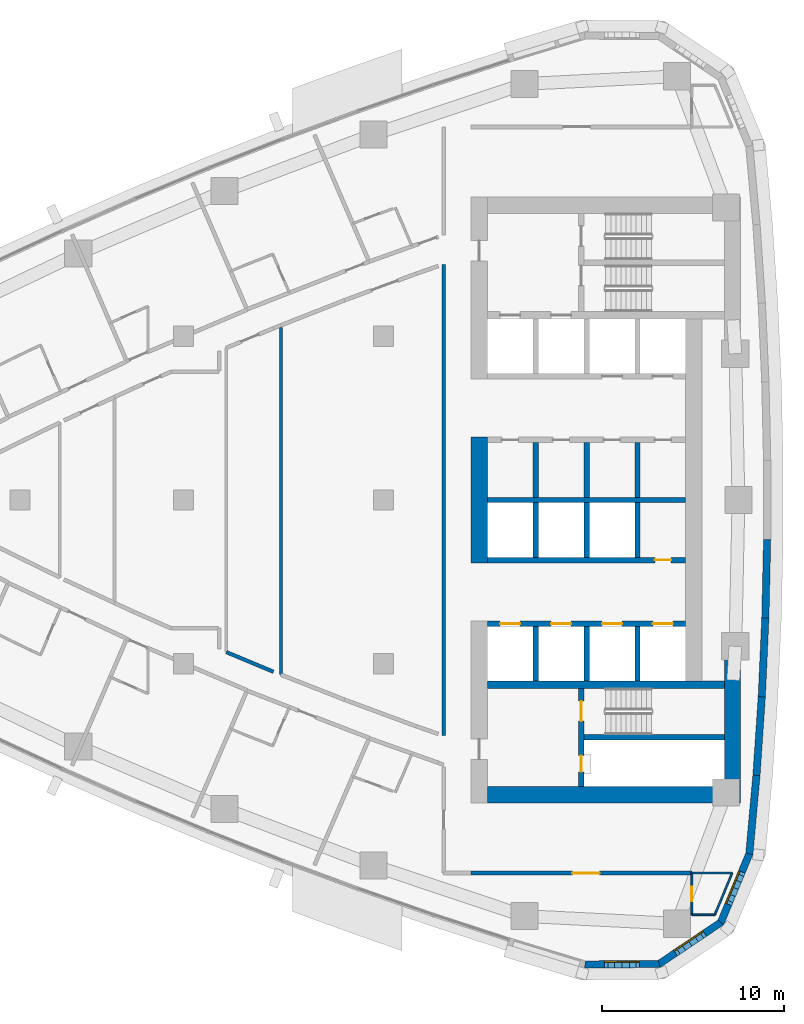
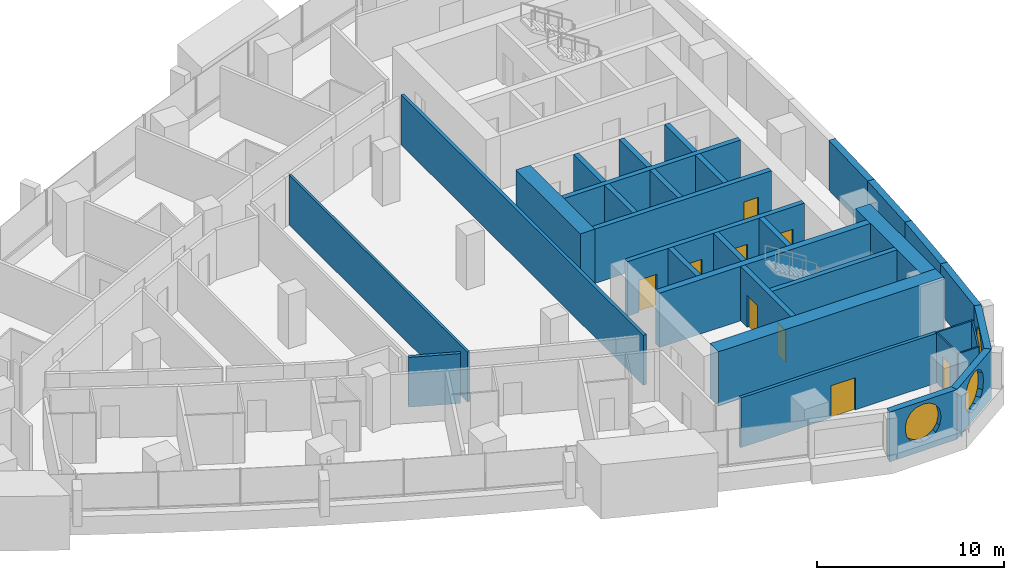
# One storey, part 10 of 17: 33 walls, 9 doors, 3 windows, 12 openings.
"""IFC4 building model written with IfcOpenShell, lengths in metres."""

from ifc_helpers import new_model, si_unit, direction, frame, frame_2d, origin, place, context, subcontext, project, spatial, polyline, rectangle, outline, extrude, material, layer, layer_set, type_object, element, fill, save


model = new_model("IFC4")

# Units and contexts
model_context = context("Model", 3, precision=1e-05, world=origin(), true_north=direction((0.0, 1.0)))
body_context = subcontext(model_context, "Body", "Model", "MODEL_VIEW")
ifc_project = project(units=[si_unit("LENGTHUNIT", "METRE"), si_unit("AREAUNIT", "SQUARE_METRE"), si_unit("VOLUMEUNIT", "CUBIC_METRE"), si_unit("PLANEANGLEUNIT", "RADIAN"), si_unit("MASSUNIT", "GRAM", prefix="KILO")], contexts=[model_context])

# Site, building, storey
site_placement = place(None, origin())
site = spatial("IfcSite", under=ifc_project, at=site_placement, CompositionType="ELEMENT")
building_placement = place(site_placement, origin())
building = spatial("IfcBuilding", under=site, at=building_placement, Name="Ostrand Prow Hotel Tower", CompositionType="ELEMENT")
storey_placement = place(building_placement, frame((0.0, 0.0, 144.39990234375)))
storey = spatial("IfcBuildingStorey", under=building, at=storey_placement, Name="L35", CompositionType="ELEMENT", Elevation=144.39990234375)

# Walls
ifc_material_1 = material(Name="Concrete C70/85", Category="concrete")
ifc_layer_1 = layer(ifc_material_1, 0.300048828125)
ifc_layer_set_1 = layer_set([ifc_layer_1], Name="Concrete C70/85")
wall_type_1 = type_object("IfcWallType", Name="Core wall 300 C70/85", PredefinedType="SHEAR", material=ifc_layer_set_1)
wall_1_placement = place(storey_placement, frame((50.699951171875, 0.0, 0.0), z_axis=(0.0, 0.0, 1.0), x_axis=(1.0, 0.0, 0.0)))
element("IfcWall", 1, at=wall_1_placement, inside=storey, type_object=wall_type_1, Name="Core wall PW-C", PredefinedType="SHEAR", context=body_context, shape_type="SweptSolid", body=[
    extrude(rectangle(XDim=10.900146484375, YDim=0.300048828125, at=frame_2d((5.4501953125, 0.0))), origin(), (0.0, 0.0, 1.0), 3.550048828125),
])
for number, where, z_axis, x_axis, name in (
    (2, (53.35009765625, 0.14990234375, 0.0), (0.0, 0.0, 1.0), (0.0, 1.0, 0.0), "Core wall PW-R1-NB"),
    (3, (56.14990234375, 0.14990234375, 0.0), (0.0, 0.0, 1.0), (0.0, 1.0, 0.0), "Core wall PW-R2-NB"),
    (4, (58.949951171875, 0.14990234375, 0.0), (0.0, 0.0, 1.0), (0.0, 1.0, 0.0), "Core wall PW-R3-NB"),
):
    element("IfcWall", number, at=place(storey_placement, frame(where, z_axis=z_axis, x_axis=x_axis)), inside=storey, type_object=wall_type_1, Name=name, PredefinedType="SHEAR", context=body_context, shape_type="SweptSolid", body=[
        extrude(rectangle(XDim=3.0, YDim=0.300048828125, at=frame_2d((1.5, 0.0))), origin(), (0.0, 0.0, 1.0), 3.550048828125),
    ])

# Wall, opening, door
wall_2_placement = place(storey_placement, frame((50.699951171875, -3.300048828125, 0.0), z_axis=(0.0, 0.0, 1.0), x_axis=(1.0, 0.0, 0.0)))
wall_2 = element("IfcWall", 5, at=wall_2_placement, inside=storey, type_object=wall_type_1, Name="Core wall PW-L1-S", PredefinedType="SHEAR", context=body_context, shape_type="SweptSolid", body=[
    extrude(rectangle(XDim=10.900146484375, YDim=0.300048828125, at=frame_2d((5.4501953125, 0.0))), origin(), (0.0, 0.0, 1.0), 3.550048828125),
])
opening_1_placement = place(wall_2_placement, frame((9.199951171875, 0.0, 0.0)))
opening_1 = element("IfcOpeningElement", 6, at=opening_1_placement, cuts=wall_2, Name="Opening FD2", PredefinedType="OPENING", context=body_context, shape_type="SweptSolid", body=[
    extrude(rectangle(XDim=0.89990234375, YDim=2.10009765625, at=frame_2d((0.449951171875, 1.050048828125))), frame((0.0, 0.159912109375, 0.0), z_axis=(0.0, -1.0, 0.0), x_axis=(1.0, 0.0, 0.0)), (0.0, 0.0, 1.0), 0.320068359375),
])
ifc_material_2 = material(Name="Steel fire door", Category="steel")
door_type_1 = type_object("IfcDoorType", Name="Fire door 900 EI120", OperationType="SINGLE_SWING_LEFT", PredefinedType="DOOR", material=ifc_material_2)
door_1_placement = place(opening_1_placement, origin())
door_1 = element("IfcDoor", 7, at=door_1_placement, inside=storey, type_object=door_type_1, Name="DOOR", OperationType="SINGLE_SWING_LEFT", OverallHeight=2.10009765625, OverallWidth=0.89990234375, PredefinedType="DOOR", context=body_context, shape_type="SweptSolid", body=[
    extrude(rectangle(XDim=0.89990234375, YDim=2.10009765625, at=frame_2d((0.449951171875, 1.050048828125))), frame((0.0, 0.02490234375, 0.0), z_axis=(0.0, -1.0, 0.0), x_axis=(1.0, 0.0, 0.0)), (0.0, 0.0, 1.0), 0.050048828125),
])
fill(opening_1, door_1)

# Wall, openings, doors
wall_3_placement = place(storey_placement, frame((50.699951171875, -6.800048828125, 0.0), z_axis=(0.0, 0.0, 1.0), x_axis=(1.0, 0.0, 0.0)))
wall_3 = element("IfcWall", 8, at=wall_3_placement, inside=storey, type_object=wall_type_1, Name="Core wall PW-L2-S", PredefinedType="SHEAR", context=body_context, shape_type="SweptSolid", body=[
    extrude(rectangle(XDim=10.900146484375, YDim=0.300048828125, at=frame_2d((5.4501953125, 0.0))), origin(), (0.0, 0.0, 1.0), 3.550048828125),
])
opening_2_placement = place(wall_3_placement, frame((0.699951171875, 0.0, 0.0)))
opening_2 = element("IfcOpeningElement", 9, at=opening_2_placement, cuts=wall_3, Name="Opening LD", PredefinedType="OPENING", context=body_context, shape_type="SweptSolid", body=[
    extrude(rectangle(XDim=1.10009765625, YDim=2.10009765625, at=frame_2d((0.550048828125, 1.050048828125))), frame((0.0, 0.159912109375, 0.0), z_axis=(0.0, -1.0, 0.0), x_axis=(1.0, 0.0, 0.0)), (0.0, 0.0, 1.0), 0.320068359375),
])
opening_3_placement = place(wall_3_placement, frame((3.5, 0.0, 0.0)))
opening_3 = element("IfcOpeningElement", 10, at=opening_3_placement, cuts=wall_3, Name="Opening LD", PredefinedType="OPENING", context=body_context, shape_type="SweptSolid", body=[
    extrude(rectangle(XDim=1.10009765625, YDim=2.10009765625, at=frame_2d((0.550048828125, 1.050048828125))), frame((0.0, 0.159912109375, 0.0), z_axis=(0.0, -1.0, 0.0), x_axis=(1.0, 0.0, 0.0)), (0.0, 0.0, 1.0), 0.320068359375),
])
opening_4_placement = place(wall_3_placement, frame((6.300048828125, 0.0, 0.0)))
opening_4 = element("IfcOpeningElement", 11, at=opening_4_placement, cuts=wall_3, Name="Opening LD", PredefinedType="OPENING", context=body_context, shape_type="SweptSolid", body=[
    extrude(rectangle(XDim=1.10009765625, YDim=2.10009765625, at=frame_2d((0.550048828125, 1.050048828125))), frame((0.0, 0.159912109375, 0.0), z_axis=(0.0, -1.0, 0.0), x_axis=(1.0, 0.0, 0.0)), (0.0, 0.0, 1.0), 0.320068359375),
])
opening_5_placement = place(wall_3_placement, frame((9.10009765625, 0.0, 0.0)))
opening_5 = element("IfcOpeningElement", 12, at=opening_5_placement, cuts=wall_3, Name="Opening LD", PredefinedType="OPENING", context=body_context, shape_type="SweptSolid", body=[
    extrude(rectangle(XDim=1.10009765625, YDim=2.10009765625, at=frame_2d((0.550048828125, 1.050048828125))), frame((0.0, 0.159912109375, 0.0), z_axis=(0.0, -1.0, 0.0), x_axis=(1.0, 0.0, 0.0)), (0.0, 0.0, 1.0), 0.320068359375),
])
ifc_material_3 = material(Name="Stainless steel door", Category="steel")
door_type_2 = type_object("IfcDoorType", Name="Lift landing door 1100", OperationType="DOUBLE_DOOR_SLIDING", PredefinedType="DOOR", material=ifc_material_3)
door_2_placement = place(opening_2_placement, origin())
door_2 = element("IfcDoor", 13, at=door_2_placement, inside=storey, type_object=door_type_2, Name="LIFT LANDING DOOR", OperationType="DOUBLE_DOOR_SLIDING", OverallHeight=2.10009765625, OverallWidth=1.10009765625, PredefinedType="DOOR", context=body_context, shape_type="SweptSolid", body=[
    extrude(rectangle(XDim=1.10009765625, YDim=2.10009765625, at=frame_2d((0.550048828125, 1.050048828125))), frame((0.0, 0.02490234375, 0.0), z_axis=(0.0, -1.0, 0.0), x_axis=(1.0, 0.0, 0.0)), (0.0, 0.0, 1.0), 0.050048828125),
])
fill(opening_2, door_2)
door_3_placement = place(opening_3_placement, origin())
door_3 = element("IfcDoor", 14, at=door_3_placement, inside=storey, type_object=door_type_2, Name="LIFT LANDING DOOR", OperationType="DOUBLE_DOOR_SLIDING", OverallHeight=2.10009765625, OverallWidth=1.10009765625, PredefinedType="DOOR", context=body_context, shape_type="SweptSolid", body=[
    extrude(rectangle(XDim=1.10009765625, YDim=2.10009765625, at=frame_2d((0.550048828125, 1.050048828125))), frame((0.0, 0.02490234375, 0.0), z_axis=(0.0, -1.0, 0.0), x_axis=(1.0, 0.0, 0.0)), (0.0, 0.0, 1.0), 0.050048828125),
])
fill(opening_3, door_3)
door_4_placement = place(opening_4_placement, origin())
door_4 = element("IfcDoor", 15, at=door_4_placement, inside=storey, type_object=door_type_2, Name="LIFT LANDING DOOR", OperationType="DOUBLE_DOOR_SLIDING", OverallHeight=2.10009765625, OverallWidth=1.10009765625, PredefinedType="DOOR", context=body_context, shape_type="SweptSolid", body=[
    extrude(rectangle(XDim=1.10009765625, YDim=2.10009765625, at=frame_2d((0.550048828125, 1.050048828125))), frame((0.0, 0.02490234375, 0.0), z_axis=(0.0, -1.0, 0.0), x_axis=(1.0, 0.0, 0.0)), (0.0, 0.0, 1.0), 0.050048828125),
])
fill(opening_4, door_4)
door_5_placement = place(opening_5_placement, origin())
door_5 = element("IfcDoor", 16, at=door_5_placement, inside=storey, type_object=door_type_2, Name="LIFT LANDING DOOR", OperationType="DOUBLE_DOOR_SLIDING", OverallHeight=2.10009765625, OverallWidth=1.10009765625, PredefinedType="DOOR", context=body_context, shape_type="SweptSolid", body=[
    extrude(rectangle(XDim=1.10009765625, YDim=2.10009765625, at=frame_2d((0.550048828125, 1.050048828125))), frame((0.0, 0.02490234375, 0.0), z_axis=(0.0, -1.0, 0.0), x_axis=(1.0, 0.0, 0.0)), (0.0, 0.0, 1.0), 0.050048828125),
])
fill(opening_5, door_5)

# Walls
for number, where, z_axis, x_axis, name in (
    (17, (53.35009765625, -3.14990234375, 0.0), (0.0, 0.0, 1.0), (0.0, 1.0, 0.0), "Core wall PW-R1-SB"),
    (18, (53.35009765625, -9.949951171875, 0.0), (0.0, 0.0, 1.0), (0.0, 1.0, 0.0), "Core wall PW-R1-SA"),
    (19, (56.14990234375, -3.14990234375, 0.0), (0.0, 0.0, 1.0), (0.0, 1.0, 0.0), "Core wall PW-R2-SB"),
    (20, (56.14990234375, -9.949951171875, 0.0), (0.0, 0.0, 1.0), (0.0, 1.0, 0.0), "Core wall PW-R2-SA"),
    (21, (58.949951171875, -3.14990234375, 0.0), (0.0, 0.0, 1.0), (0.0, 1.0, 0.0), "Core wall PW-R3-SB"),
    (22, (58.949951171875, -9.949951171875, 0.0), (0.0, 0.0, 1.0), (0.0, 1.0, 0.0), "Core wall PW-R3-SA"),
):
    element("IfcWall", number, at=place(storey_placement, frame(where, z_axis=z_axis, x_axis=x_axis)), inside=storey, type_object=wall_type_1, Name=name, PredefinedType="SHEAR", context=body_context, shape_type="SweptSolid", body=[
        extrude(rectangle(XDim=3.0, YDim=0.300048828125, at=frame_2d((1.5, 0.0))), origin(), (0.0, 0.0, 1.0), 3.550048828125),
    ])

# Wall, openings, doors
wall_4_placement = place(storey_placement, frame((55.85009765625, -15.75, 0.0), z_axis=(0.0, 0.0, 1.0), x_axis=(0.0, 1.0, 0.0)))
wall_4 = element("IfcWall", 23, at=wall_4_placement, inside=storey, type_object=wall_type_1, Name="Core wall PW-VS", PredefinedType="SHEAR", context=body_context, shape_type="SweptSolid", body=[
    extrude(rectangle(XDim=5.39990234375, YDim=0.300048828125, at=frame_2d((2.699951171875, 0.0))), origin(), (0.0, 0.0, 1.0), 3.550048828125),
])
opening_6_placement = place(wall_4_placement, frame((3.60009765625, 0.0, 0.0)))
opening_6 = element("IfcOpeningElement", 24, at=opening_6_placement, cuts=wall_4, Name="Opening FD1", PredefinedType="OPENING", context=body_context, shape_type="SweptSolid", body=[
    extrude(rectangle(XDim=1.10009765625, YDim=2.10009765625, at=frame_2d((0.550048828125, 1.050048828125))), frame((0.0, 0.159912109375, 0.0), z_axis=(0.0, -1.0, 0.0), x_axis=(1.0, 0.0, 0.0)), (0.0, 0.0, 1.0), 0.320068359375),
])
opening_7_placement = place(wall_4_placement, frame((0.800048828125, 0.0, 0.0)))
opening_7 = element("IfcOpeningElement", 25, at=opening_7_placement, cuts=wall_4, Name="Opening FD2", PredefinedType="OPENING", context=body_context, shape_type="SweptSolid", body=[
    extrude(rectangle(XDim=0.89990234375, YDim=2.10009765625, at=frame_2d((0.449951171875, 1.050048828125))), frame((0.0, 0.159912109375, 0.0), z_axis=(0.0, -1.0, 0.0), x_axis=(1.0, 0.0, 0.0)), (0.0, 0.0, 1.0), 0.320068359375),
])
ifc_material_4 = material(Name="Steel fire door", Category="steel")
door_type_3 = type_object("IfcDoorType", Name="Fire door 1100 EI120", OperationType="SINGLE_SWING_RIGHT", PredefinedType="DOOR", material=ifc_material_4)
door_6_placement = place(opening_6_placement, origin())
door_6 = element("IfcDoor", 26, at=door_6_placement, inside=storey, type_object=door_type_3, Name="FIRE DOOR", OperationType="SINGLE_SWING_RIGHT", OverallHeight=2.10009765625, OverallWidth=1.10009765625, PredefinedType="DOOR", context=body_context, shape_type="SweptSolid", body=[
    extrude(rectangle(XDim=1.10009765625, YDim=2.10009765625, at=frame_2d((0.550048828125, 1.050048828125))), frame((0.0, 0.02490234375, 0.0), z_axis=(0.0, -1.0, 0.0), x_axis=(1.0, 0.0, 0.0)), (0.0, 0.0, 1.0), 0.050048828125),
])
fill(opening_6, door_6)
door_7_placement = place(opening_7_placement, origin())
door_7 = element("IfcDoor", 27, at=door_7_placement, inside=storey, type_object=door_type_1, Name="FIRE DOOR", OperationType="SINGLE_SWING_LEFT", OverallHeight=2.10009765625, OverallWidth=0.89990234375, PredefinedType="DOOR", context=body_context, shape_type="SweptSolid", body=[
    extrude(rectangle(XDim=0.89990234375, YDim=2.10009765625, at=frame_2d((0.449951171875, 1.050048828125))), frame((0.0, 0.02490234375, 0.0), z_axis=(0.0, -1.0, 0.0), x_axis=(1.0, 0.0, 0.0)), (0.0, 0.0, 1.0), 0.050048828125),
])
fill(opening_7, door_7)

# Walls
wall_5_placement = place(storey_placement, frame((56.0, -13.050048828125, 0.0), z_axis=(0.0, 0.0, 1.0), x_axis=(1.0, 0.0, 0.0)))
element("IfcWall", 28, at=wall_5_placement, inside=storey, type_object=wall_type_1, Name="Core wall PW-ST2R", PredefinedType="SHEAR", context=body_context, shape_type="SweptSolid", body=[
    extrude(rectangle(XDim=7.719970703125, YDim=0.300048828125, at=frame_2d((3.85986328125, 0.0))), origin(), (0.0, 0.0, 1.0), 3.550048828125),
])
ifc_material_5 = material(Name="Concrete C70/85", Category="concrete")
ifc_layer_2 = layer(ifc_material_5, 0.39990234375)
ifc_layer_set_2 = layer_set([ifc_layer_2], Name="Concrete C70/85")
wall_type_2 = type_object("IfcWallType", Name="Core wall 400 C70/85", PredefinedType="SHEAR", material=ifc_layer_set_2)
wall_6_placement = place(storey_placement, frame((50.699951171875, -10.14990234375, 0.0), z_axis=(0.0, 0.0, 1.0), x_axis=(1.0, 0.0, 0.0)))
element("IfcWall", 29, at=wall_6_placement, inside=storey, type_object=wall_type_2, Name="Core wall PW-BS", PredefinedType="SHEAR", context=body_context, shape_type="SweptSolid", body=[
    extrude(rectangle(XDim=13.02001953125, YDim=0.39990234375, at=frame_2d((6.510009765625, 0.0))), origin(), (0.0, 0.0, 1.0), 3.550048828125),
])
ifc_material_6 = material(Name="Concrete C70/85", Category="concrete")
ifc_layer_3 = layer(ifc_material_6, 0.89990234375)
ifc_layer_set_3 = layer_set([ifc_layer_3], Name="Concrete C70/85")
wall_type_3 = type_object("IfcWallType", Name="Core wall 900 C70/85", PredefinedType="SHEAR", material=ifc_layer_set_3)
wall_7_placement = place(storey_placement, frame((50.25, -3.449951171875, 0.0), z_axis=(0.0, 0.0, 1.0), x_axis=(0.0, 1.0, 0.0)))
element("IfcWall", 30, at=wall_7_placement, inside=storey, type_object=wall_type_3, Name="Core wall CW-W-C", PredefinedType="SHEAR", context=body_context, shape_type="SweptSolid", body=[
    extrude(rectangle(XDim=6.89990234375, YDim=0.89990234375, at=frame_2d((3.449951171875, 0.0))), origin(), (0.0, 0.0, 1.0), 3.550048828125),
])
wall_8_placement = place(storey_placement, frame((50.699951171875, -16.199951171875, 0.0), z_axis=(0.0, 0.0, 1.0), x_axis=(1.0, 0.0, 0.0)))
element("IfcWall", 31, at=wall_8_placement, inside=storey, type_object=wall_type_3, Name="Core wall CW-S", PredefinedType="SHEAR", context=body_context, shape_type="SweptSolid", body=[
    extrude(rectangle(XDim=13.920166015625, YDim=0.89990234375, at=frame_2d((6.9599609375, 0.0))), origin(), (0.0, 0.0, 1.0), 3.550048828125),
])
wall_9_placement = place(storey_placement, frame((64.169921875, -15.75, 0.0), z_axis=(0.0, 0.0, 1.0), x_axis=(0.0, 1.0, 0.0)))
element("IfcWall", 32, at=wall_9_placement, inside=storey, type_object=wall_type_3, Name="Core wall CW-E-S", PredefinedType="SHEAR", context=body_context, shape_type="SweptSolid", body=[
    extrude(rectangle(XDim=7.00537109375, YDim=0.89990234375, at=frame_2d((3.502685546875, 0.0))), origin(), (0.0, 0.0, 1.0), 3.550048828125),
])

# Wall, opening, door
ifc_material_7 = material(Name="Plasterboard partition")
ifc_layer_4 = layer(ifc_material_7, 0.10009765625)
ifc_layer_set_4 = layer_set([ifc_layer_4], Name="Plasterboard partition")
wall_type_4 = type_object("IfcWallType", Name="Partition 100 bathroom wall", PredefinedType="PARTITIONING", material=ifc_layer_set_4)
wall_10_placement = place(storey_placement, frame((61.9375, -22.800048828125, 0.0), z_axis=(0.0, 0.0, 1.0), x_axis=(0.0, 1.0, 0.0)))
wall_10 = element("IfcWall", 33, at=wall_10_placement, inside=storey, type_object=wall_type_4, Name="BATHROOM WALL", PredefinedType="PARTITIONING", context=body_context, shape_type="SweptSolid", body=[
    extrude(rectangle(XDim=2.300048828125, YDim=0.10009765625, at=frame_2d((1.14990234375, 0.0))), origin(), (0.0, 0.0, 1.0), 3.25),
])
opening_8_placement = place(wall_10_placement, frame((0.75, 0.0, 0.0)))
opening_8 = element("IfcOpeningElement", 34, at=opening_8_placement, cuts=wall_10, Name="Opening D2", PredefinedType="OPENING", context=body_context, shape_type="SweptSolid", body=[
    extrude(rectangle(XDim=0.800048828125, YDim=2.10009765625, at=frame_2d((0.39990234375, 1.050048828125))), frame((0.0, 0.06005859375, 0.0), z_axis=(0.0, -1.0, 0.0), x_axis=(1.0, 0.0, 0.0)), (0.0, 0.0, 1.0), 0.1201171875),
])
ifc_material_8 = material(Name="Timber door leaf", Category="wood")
door_type_4 = type_object("IfcDoorType", Name="Bathroom door 800", OperationType="SINGLE_SWING_LEFT", PredefinedType="DOOR", material=ifc_material_8)
door_8_placement = place(opening_8_placement, origin())
door_8 = element("IfcDoor", 35, at=door_8_placement, inside=storey, type_object=door_type_4, Name="DOOR", OperationType="SINGLE_SWING_LEFT", OverallHeight=2.10009765625, OverallWidth=0.800048828125, PredefinedType="DOOR", context=body_context, shape_type="SweptSolid", body=[
    extrude(rectangle(XDim=0.800048828125, YDim=2.10009765625, at=frame_2d((0.39990234375, 1.050048828125))), frame((0.0, 0.02490234375, 0.0), z_axis=(0.0, -1.0, 0.0), x_axis=(1.0, 0.0, 0.0)), (0.0, 0.0, 1.0), 0.050048828125),
])
fill(opening_8, door_8)

# Walls
wall_11_placement = place(storey_placement, frame((63.1982421875, -22.800048828125, 0.0), z_axis=(0.0, 0.0, 1.0), x_axis=(-1.0, 0.0, 0.0)))
element("IfcWall", 36, at=wall_11_placement, inside=storey, type_object=wall_type_4, Name="BATHROOM WALL", PredefinedType="PARTITIONING", context=body_context, shape_type="SweptSolid", body=[
    extrude(rectangle(XDim=1.2607421875, YDim=0.10009765625, at=frame_2d((0.63037109375, 0.0))), origin(), (0.0, 0.0, 1.0), 3.25),
])
wall_12_placement = place(storey_placement, frame((61.9375, -20.5048828125, 0.0), z_axis=(0.0, 0.0, 1.0), x_axis=(1.0, 0.0, 0.0)))
element("IfcWall", 37, at=wall_12_placement, inside=storey, type_object=wall_type_4, Name="BATHROOM WALL", PredefinedType="PARTITIONING", context=body_context, shape_type="SweptSolid", body=[
    extrude(rectangle(XDim=2.21484375, YDim=0.10009765625, at=frame_2d((1.107421875, 0.0))), origin(), (0.0, 0.0, 1.0), 3.25),
])
wall_13_placement = place(storey_placement, frame((64.15234375, -20.5048828125, 0.0), z_axis=(0.0, 0.0, 1.0), x_axis=(-0.383855043906, -0.923393364319, 0.0)))
element("IfcWall", 38, at=wall_13_placement, inside=storey, type_object=wall_type_4, Name="BATHROOM WALL", PredefinedType="PARTITIONING", context=body_context, shape_type="SweptSolid", body=[
    extrude(rectangle(XDim=2.485595703125, YDim=0.10009765625, at=frame_2d((1.24267578125, 0.0))), origin(), (0.0, 0.0, 1.0), 3.25),
])
ifc_material_9 = material(Name="Plasterboard partition")
ifc_layer_5 = layer(ifc_material_9, 0.14990234375)
ifc_layer_set_5 = layer_set([ifc_layer_5], Name="Plasterboard partition")
wall_type_5 = type_object("IfcWallType", Name="Partition 150 room partition", PredefinedType="PARTITIONING", material=ifc_layer_set_5)
wall_14_placement = place(storey_placement, frame((39.35302734375, -9.60205078125, 0.0), z_axis=(0.0, 0.0, 1.0), x_axis=(0.0, 1.0, 0.0)))
element("IfcWall", 39, at=wall_14_placement, inside=storey, type_object=wall_type_5, Name="ROOM PARTITION", PredefinedType="PARTITIONING", context=body_context, shape_type="SweptSolid", body=[
    extrude(rectangle(XDim=19.0966796875, YDim=0.14990234375, at=frame_2d((9.54833984375, 0.0))), origin(), (0.0, 0.0, 1.0), 3.25),
])
ifc_material_10 = material(Name="Plasterboard partition")
ifc_layer_6 = layer(ifc_material_10, 0.199951171875)
ifc_layer_set_6 = layer_set([ifc_layer_6], Name="Plasterboard partition")
wall_type_6 = type_object("IfcWallType", Name="Partition 200 corridor wall", PredefinedType="PARTITIONING", material=ifc_layer_set_6)
wall_15_placement = place(storey_placement, frame((38.943115234375, -9.44091796875, 0.0), z_axis=(0.0, 0.0, 1.0), x_axis=(-0.922997109092, 0.384806882224, 0.0)))
element("IfcWall", 40, at=wall_15_placement, inside=storey, type_object=wall_type_6, Name="CORRIDOR WALL", PredefinedType="PARTITIONING", context=body_context, shape_type="SweptSolid", body=[
    extrude(rectangle(XDim=2.80615234375, YDim=0.199951171875, at=frame_2d((1.403076171875, 0.0))), origin(), (0.0, 0.0, 1.0), 3.25),
])

# Wall, opening, door
wall_16_placement = place(storey_placement, frame((49.800048828125, -20.5048828125, 0.0), z_axis=(0.0, 0.0, 1.0), x_axis=(1.0, 0.0, 0.0)))
wall_16 = element("IfcWall", 41, at=wall_16_placement, inside=storey, type_object=wall_type_6, Name="CORRIDOR WALL", PredefinedType="PARTITIONING", context=body_context, shape_type="SweptSolid", body=[
    extrude(rectangle(XDim=12.132568359375, YDim=0.199951171875, at=frame_2d((6.06640625, 0.0))), origin(), (0.0, 0.0, 1.0), 3.25),
])
opening_9_placement = place(wall_16_placement, frame((5.56640625, 0.0, 0.0)))
opening_9 = element("IfcOpeningElement", 42, at=opening_9_placement, cuts=wall_16, Name="Opening D15", PredefinedType="OPENING", context=body_context, shape_type="SweptSolid", body=[
    extrude(rectangle(XDim=1.5, YDim=2.10009765625, at=frame_2d((0.75, 1.050048828125))), frame((0.0, 0.10986328125, 0.0), z_axis=(0.0, -1.0, 0.0), x_axis=(1.0, 0.0, 0.0)), (0.0, 0.0, 1.0), 0.219970703125),
])
ifc_material_11 = material(Name="Timber door leaf", Category="wood")
door_type_5 = type_object("IfcDoorType", Name="Double door 1500", OperationType="DOUBLE_DOOR_SINGLE_SWING", PredefinedType="DOOR", material=ifc_material_11)
door_9_placement = place(opening_9_placement, origin())
door_9 = element("IfcDoor", 43, at=door_9_placement, inside=storey, type_object=door_type_5, Name="DOOR", OperationType="DOUBLE_DOOR_SINGLE_SWING", OverallHeight=2.10009765625, OverallWidth=1.5, PredefinedType="DOOR", context=body_context, shape_type="SweptSolid", body=[
    extrude(rectangle(XDim=1.5, YDim=2.10009765625, at=frame_2d((0.75, 1.050048828125))), frame((0.0, 0.02490234375, 0.0), z_axis=(0.0, -1.0, 0.0), x_axis=(1.0, 0.0, 0.0)), (0.0, 0.0, 1.0), 0.050048828125),
])
fill(opening_9, door_9)

# Wall
wall_17_placement = place(storey_placement, frame((48.294921875, 12.955078125, 0.0), z_axis=(0.0, 0.0, 1.0), x_axis=(0.0, -1.0, 0.0)))
element("IfcWall", 44, at=wall_17_placement, inside=storey, type_object=wall_type_6, Name="CORRIDOR WALL", PredefinedType="PARTITIONING", context=body_context, shape_type="SweptSolid", body=[
    extrude(rectangle(XDim=25.91015625, YDim=0.199951171875, at=frame_2d((12.955078125, 0.0))), origin(), (0.0, 0.0, 1.0), 3.25),
])

# Wall, opening, window
ifc_material_12 = material(Name="Precast concrete C40/50", Category="concrete")
ifc_layer_7 = layer(ifc_material_12, 0.39990234375)
ifc_layer_set_7 = layer_set([ifc_layer_7], Name="Precast concrete C40/50")
wall_type_7 = type_object("IfcWallType", Name="Stone-faced precast wall 400 mm", PredefinedType="NOTDEFINED", material=ifc_layer_set_7)
wall_18_placement = place(storey_placement, frame((56.05810546875, -25.530517578125, 0.0), z_axis=(0.0, 0.0, 1.0), x_axis=(0.99996933771, 0.007830941131, 0.0)))
wall_18 = element("IfcWall", 45, at=wall_18_placement, inside=storey, type_object=wall_type_7, Name="Stone-faced wall back 2", PredefinedType="NOTDEFINED", context=body_context, shape_type="SweptSolid", body=[
    extrude(outline(polyline([(-0.030517578125, -0.199951171875), (4.14453125, -0.199951171875), (4.02392578125, 0.199951171875), (0.030517578125, 0.199951171875), (-0.030517578125, -0.199951171875)])), origin(), (0.0, 0.0, 1.0), 3.25),
])
opening_10_placement = place(wall_18_placement, frame((0.94189453125, 0.0, 0.60009765625)))
opening_10 = element("IfcOpeningElement", 46, at=opening_10_placement, cuts=wall_18, Name="Opening WP1", PredefinedType="OPENING", context=body_context, shape_type="SweptSolid", body=[
    extrude(outline(polyline([(0.0, 1.35009765625), (0.083740234375, 1.77099609375), (0.322265625, 2.127685546875), (0.678955078125, 2.3662109375), (1.10009765625, 2.449951171875), (1.52099609375, 2.3662109375), (1.877685546875, 2.127685546875), (2.1162109375, 1.77099609375), (2.199951171875, 1.35009765625), (2.199951171875, 1.10009765625), (2.1162109375, 0.678955078125), (1.877685546875, 0.322265625), (1.52099609375, 0.083740234375), (1.10009765625, 0.0), (0.678955078125, 0.083740234375), (0.322265625, 0.322265625), (0.083740234375, 0.678955078125), (0.0, 1.099853515625), (0.0, 1.35009765625)])), frame((0.0, 0.2099609375, 0.0), z_axis=(0.0, -1.0, 0.0), x_axis=(1.0, 0.0, 0.0)), (0.0, 0.0, 1.0), 0.419921875),
])
ifc_material_13 = material(Name="Insulated glass in bronze frame", Category="glass")
window_type = type_object("IfcWindowType", Name="Round-ended prow window 2200x2450", PartitioningType="SINGLE_PANEL", PredefinedType="WINDOW", material=ifc_material_13)
window_1_placement = place(opening_10_placement, origin())
window_1 = element("IfcWindow", 47, at=window_1_placement, inside=storey, type_object=window_type, Name="Window back 2.1", OverallHeight=2.449951171875, OverallWidth=2.199951171875, PartitioningType="SINGLE_PANEL", PredefinedType="WINDOW", context=body_context, shape_type="SweptSolid", body=[
    extrude(outline(polyline([(0.0, 1.35009765625), (0.083740234375, 1.77099609375), (0.322265625, 2.127685546875), (0.678955078125, 2.3662109375), (1.10009765625, 2.449951171875), (1.52099609375, 2.3662109375), (1.877685546875, 2.127685546875), (2.1162109375, 1.77099609375), (2.199951171875, 1.35009765625), (2.199951171875, 1.10009765625), (2.1162109375, 0.678955078125), (1.877685546875, 0.322265625), (1.52099609375, 0.083740234375), (1.10009765625, 0.0), (0.678955078125, 0.083740234375), (0.322265625, 0.322265625), (0.083740234375, 0.678955078125), (0.0, 1.099853515625), (0.0, 1.35009765625)])), frame((0.0, 0.169921875, 0.0), z_axis=(0.0, -1.0, 0.0), x_axis=(1.0, 0.0, 0.0)), (0.0, 0.0, 1.0), 0.06005859375),
])
fill(opening_10, window_1)

wall_19_placement = place(storey_placement, frame((60.14208984375, -25.49853515625, 0.0), z_axis=(0.0, 0.0, 1.0), x_axis=(0.829642062482, 0.558295663749, 0.0)))
wall_19 = element("IfcWall", 48, at=wall_19_placement, inside=storey, type_object=wall_type_7, Name="Stone-faced wall back 3", PredefinedType="NOTDEFINED", context=body_context, shape_type="SweptSolid", body=[
    extrude(outline(polyline([(-0.060302734375, -0.199951171875), (4.144287109375, -0.199951171875), (4.023681640625, 0.199951171875), (0.060302734375, 0.199951171875), (-0.060302734375, -0.199951171875)])), origin(), (0.0, 0.0, 1.0), 3.25),
])
opening_11_placement = place(wall_19_placement, frame((0.94189453125, 0.0, 0.60009765625)))
opening_11 = element("IfcOpeningElement", 49, at=opening_11_placement, cuts=wall_19, Name="Opening WP1", PredefinedType="OPENING", context=body_context, shape_type="SweptSolid", body=[
    extrude(outline(polyline([(0.0, 1.35009765625), (0.083740234375, 1.77099609375), (0.322265625, 2.127685546875), (0.678955078125, 2.3662109375), (1.10009765625, 2.449951171875), (1.52099609375, 2.3662109375), (1.877685546875, 2.127685546875), (2.1162109375, 1.77099609375), (2.199951171875, 1.35009765625), (2.199951171875, 1.10009765625), (2.1162109375, 0.678955078125), (1.877685546875, 0.322265625), (1.52099609375, 0.083740234375), (1.10009765625, 0.0), (0.678955078125, 0.083740234375), (0.322265625, 0.322265625), (0.083740234375, 0.678955078125), (0.0, 1.099853515625), (0.0, 1.35009765625)])), frame((0.0, 0.2099609375, 0.0), z_axis=(0.0, -1.0, 0.0), x_axis=(1.0, 0.0, 0.0)), (0.0, 0.0, 1.0), 0.419921875),
])
window_2_placement = place(opening_11_placement, origin())
window_2 = element("IfcWindow", 50, at=window_2_placement, inside=storey, type_object=window_type, Name="Window back 3.1", OverallHeight=2.449951171875, OverallWidth=2.199951171875, PartitioningType="SINGLE_PANEL", PredefinedType="WINDOW", context=body_context, shape_type="SweptSolid", body=[
    extrude(outline(polyline([(0.0, 1.35009765625), (0.083740234375, 1.77099609375), (0.322265625, 2.127685546875), (0.678955078125, 2.3662109375), (1.10009765625, 2.449951171875), (1.52099609375, 2.3662109375), (1.877685546875, 2.127685546875), (2.1162109375, 1.77099609375), (2.199951171875, 1.35009765625), (2.199951171875, 1.10009765625), (2.1162109375, 0.678955078125), (1.877685546875, 0.322265625), (1.52099609375, 0.083740234375), (1.10009765625, 0.0), (0.678955078125, 0.083740234375), (0.322265625, 0.322265625), (0.083740234375, 0.678955078125), (0.0, 1.099853515625), (0.0, 1.35009765625)])), frame((0.0, 0.169921875, 0.0), z_axis=(0.0, -1.0, 0.0), x_axis=(1.0, 0.0, 0.0)), (0.0, 0.0, 1.0), 0.06005859375),
])
fill(opening_11, window_2)

wall_20_placement = place(storey_placement, frame((63.5302734375, -23.218505859375, 0.0), z_axis=(0.0, 0.0, 1.0), x_axis=(0.383817293519, 0.923409056267, 0.0)))
wall_20 = element("IfcWall", 51, at=wall_20_placement, inside=storey, type_object=wall_type_7, Name="Stone-faced wall back 4", PredefinedType="NOTDEFINED", context=body_context, shape_type="SweptSolid", body=[
    extrude(outline(polyline([(-0.060302734375, -0.199951171875), (4.11474609375, -0.199951171875), (4.0537109375, 0.199951171875), (0.060302734375, 0.199951171875), (-0.060302734375, -0.199951171875)])), origin(), (0.0, 0.0, 1.0), 3.25),
])
opening_12_placement = place(wall_20_placement, frame((0.94189453125, 0.0, 0.60009765625)))
opening_12 = element("IfcOpeningElement", 52, at=opening_12_placement, cuts=wall_20, Name="Opening WP1", PredefinedType="OPENING", context=body_context, shape_type="SweptSolid", body=[
    extrude(outline(polyline([(0.0, 1.35009765625), (0.083740234375, 1.77099609375), (0.322265625, 2.127685546875), (0.678955078125, 2.3662109375), (1.10009765625, 2.449951171875), (1.52099609375, 2.3662109375), (1.877685546875, 2.127685546875), (2.1162109375, 1.77099609375), (2.199951171875, 1.35009765625), (2.199951171875, 1.10009765625), (2.1162109375, 0.678955078125), (1.877685546875, 0.322265625), (1.52099609375, 0.083740234375), (1.10009765625, 0.0), (0.678955078125, 0.083740234375), (0.322265625, 0.322265625), (0.083740234375, 0.678955078125), (0.0, 1.099853515625), (0.0, 1.35009765625)])), frame((0.0, 0.2099609375, 0.0), z_axis=(0.0, -1.0, 0.0), x_axis=(1.0, 0.0, 0.0)), (0.0, 0.0, 1.0), 0.419921875),
])
window_3_placement = place(opening_12_placement, origin())
window_3 = element("IfcWindow", 53, at=window_3_placement, inside=storey, type_object=window_type, Name="Window back 4.1", OverallHeight=2.449951171875, OverallWidth=2.199951171875, PartitioningType="SINGLE_PANEL", PredefinedType="WINDOW", context=body_context, shape_type="SweptSolid", body=[
    extrude(outline(polyline([(0.0, 1.35009765625), (0.083740234375, 1.77099609375), (0.322265625, 2.127685546875), (0.678955078125, 2.3662109375), (1.10009765625, 2.449951171875), (1.52099609375, 2.3662109375), (1.877685546875, 2.127685546875), (2.1162109375, 1.77099609375), (2.199951171875, 1.35009765625), (2.199951171875, 1.10009765625), (2.1162109375, 0.678955078125), (1.877685546875, 0.322265625), (1.52099609375, 0.083740234375), (1.10009765625, 0.0), (0.678955078125, 0.083740234375), (0.322265625, 0.322265625), (0.083740234375, 0.678955078125), (0.0, 1.099853515625), (0.0, 1.35009765625)])), frame((0.0, 0.169921875, 0.0), z_axis=(0.0, -1.0, 0.0), x_axis=(1.0, 0.0, 0.0)), (0.0, 0.0, 1.0), 0.06005859375),
])
fill(opening_12, window_3)

# Walls
wall_21_placement = place(storey_placement, frame((65.097900390625, -19.447021484375, 0.0), z_axis=(0.0, 0.0, 1.0), x_axis=(0.090296735989, 0.995914905737, 0.0)))
element("IfcWall", 54, at=wall_21_placement, inside=storey, type_object=wall_type_7, Name="Stone-faced wall back 5", PredefinedType="NOTDEFINED", context=body_context, shape_type="SweptSolid", body=[
    extrude(outline(polyline([(-0.030517578125, -0.199951171875), (4.330810546875, -0.199951171875), (4.326416015625, 0.199951171875), (0.030517578125, 0.199951171875), (-0.030517578125, -0.199951171875)])), origin(), (0.0, 0.0, 1.0), 3.25),
])
for number, where, z_axis, x_axis, name in (
    (55, (65.48876953125, -15.135986328125, 0.0), (0.0, 0.0, 1.0), (0.067731727279, 0.997703569764, 0.0), "Stone-faced wall back 6"),
    (56, (65.781982421875, -10.81689453125, 0.0), (0.0, 0.0, 1.0), (0.045228592312, 0.99897666361, 0.0), "Stone-faced wall back 7"),
):
    element("IfcWall", number, at=place(storey_placement, frame(where, z_axis=z_axis, x_axis=x_axis)), inside=storey, type_object=wall_type_7, Name=name, PredefinedType="NOTDEFINED", context=body_context, shape_type="SweptSolid", body=[
        extrude(outline(polyline([(-0.002197265625, -0.199951171875), (4.331298828125, -0.199951171875), (4.326904296875, 0.199951171875), (0.002197265625, 0.199951171875), (-0.002197265625, -0.199951171875)])), origin(), (0.0, 0.0, 1.0), 3.25),
    ])
wall_22_placement = place(storey_placement, frame((65.977783203125, -6.4921875, 0.0), z_axis=(0.0, 0.0, 1.0), x_axis=(0.02261635063, 0.99974421763, 0.0)))
element("IfcWall", 57, at=wall_22_placement, inside=storey, type_object=wall_type_7, Name="Stone-faced wall back 8", PredefinedType="NOTDEFINED", context=body_context, shape_type="SweptSolid", body=[
    extrude(outline(polyline([(-0.002197265625, -0.199951171875), (4.3310546875, -0.199951171875), (4.32666015625, 0.199951171875), (0.002197265625, 0.199951171875), (-0.002197265625, -0.199951171875)])), origin(), (0.0, 0.0, 1.0), 3.25),
])

save(model, "model.ifc")
